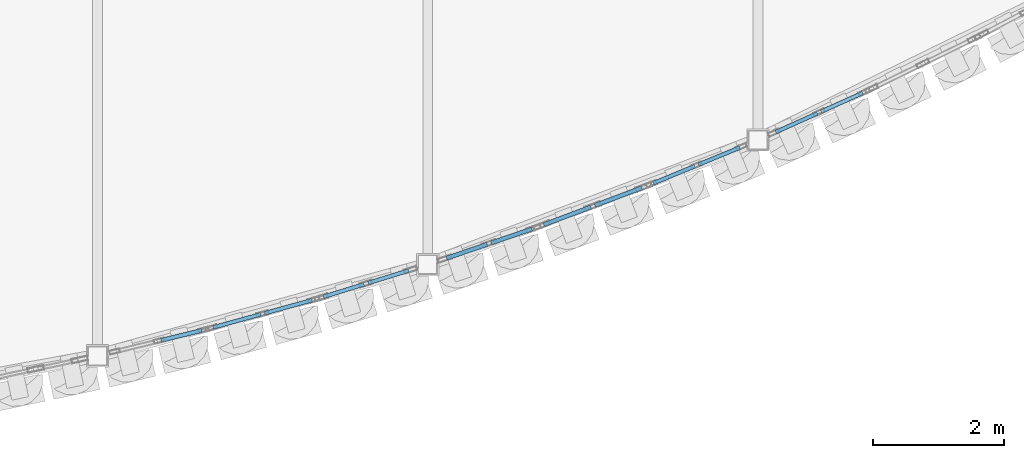
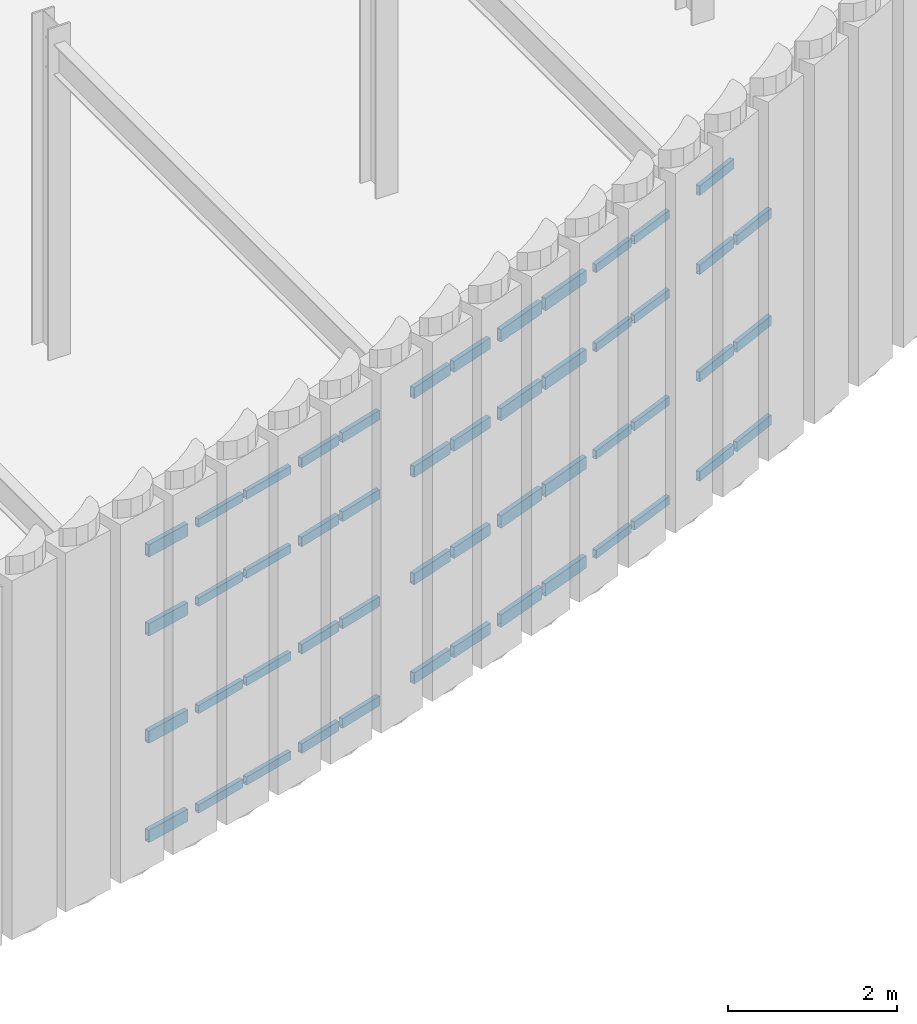
# One storey, part 77 of 126: 51 members, 7 elements without a shape of their own.
"""IFC4 building model written with IfcOpenShell, lengths in metres."""

from ifc_helpers import new_model, si_unit, direction, frame, origin, origin_2d, place, context, subcontext, project, spatial, hollow_rectangle, extrude, material, layer, layer_set, material_profile, profile_set, type_object, element, aggregate, save


model = new_model("IFC4")

# Units and contexts
model_context = context("Model", 3, precision=1e-05, world=origin(), true_north=direction((0.0, 1.0)))
body_context = subcontext(model_context, "Body", "Model", "MODEL_VIEW")
ifc_project = project(units=[si_unit("LENGTHUNIT", "METRE"), si_unit("AREAUNIT", "SQUARE_METRE"), si_unit("VOLUMEUNIT", "CUBIC_METRE"), si_unit("PLANEANGLEUNIT", "RADIAN"), si_unit("MASSUNIT", "GRAM", prefix="KILO")], contexts=[model_context])

# Site, building, storey
site_placement = place(None, origin())
site = spatial("IfcSite", under=ifc_project, at=site_placement, CompositionType="ELEMENT")
building_placement = place(site_placement, origin())
building = spatial("IfcBuilding", under=site, at=building_placement, Name="Solvadek Multi-Sports Hall", CompositionType="ELEMENT")
storey_placement = place(building_placement, frame((0.0, 0.0, 9.60009765625)))
storey = spatial("IfcBuildingStorey", under=building, at=storey_placement, Name="L02", CompositionType="ELEMENT", Elevation=9.60009765625)

# Curtain wall, members
ifc_material = material(Name="Anodised aluminium", Category="aluminium")
ifc_layer_1 = layer(ifc_material, 0.159912109375, Name="Anodised aluminium")
ifc_layer_set_1 = layer_set([ifc_layer_1], Name="Anodised aluminium")
curtain_wall_type_1 = type_object("IfcCurtainWallType", Name="ENV-CW-168X420", PredefinedType="USERDEFINED", material=ifc_layer_set_1)
curtain_wall_1_placement = place(storey_placement, origin())
curtain_wall_1 = element("IfcCurtainWall", 1, at=curtain_wall_1_placement, inside=storey, type_object=curtain_wall_type_1, Name="L02 Crescent Curved Curtain Wall #82", ObjectType="CURTAIN WALL", PredefinedType="USERDEFINED")
ifc_material_profile_1 = material_profile(ifc_material, hollow_rectangle(XDim=0.06005859375, YDim=0.1201171875, WallThickness=0.00390625, at=origin_2d()), Name="ALU-T 120x60x4")
ifc_profile_set_1 = profile_set([ifc_material_profile_1], Name="Anodised aluminium")
member_type_1 = type_object("IfcMemberType", Name="ENV-CWT-01", PredefinedType="USERDEFINED", material=ifc_profile_set_1)
member_1_placement = place(storey_placement, frame((108.32666015625, -11.3046875, 0.02978515625), z_axis=(0.96394952618, 0.266085157378, 0.0), x_axis=(-0.266085157378, 0.96394952618, 0.0)))
member_1 = element("IfcMember", 2, at=member_1_placement, type_object=member_type_1, Name="CW-22 transom 1.1", ObjectType="TRANSOM", PredefinedType="USERDEFINED", context=body_context, shape_type="SweptSolid", body=[
    extrude(hollow_rectangle(XDim=0.06005859375, YDim=0.1201171875, WallThickness=0.00390625, at=origin_2d()), origin(), (0.0, 0.0, 1.0), 0.75146484375),
])
member_2_placement = place(storey_placement, frame((108.32666015625, -11.3046875, 1.469970703125), z_axis=(0.96394952618, 0.266085157378, 0.0), x_axis=(-0.266085157378, 0.96394952618, 0.0)))
member_2 = element("IfcMember", 3, at=member_2_placement, type_object=member_type_1, Name="CW-22 transom 1.2", ObjectType="TRANSOM", PredefinedType="USERDEFINED", context=body_context, shape_type="SweptSolid", body=[
    extrude(hollow_rectangle(XDim=0.06005859375, YDim=0.1201171875, WallThickness=0.00390625, at=origin_2d()), origin(), (0.0, 0.0, 1.0), 0.75146484375),
])
member_3_placement = place(storey_placement, frame((108.32666015625, -11.3046875, 3.02392578125), z_axis=(0.96394952618, 0.266085157378, 0.0), x_axis=(-0.266085157378, 0.96394952618, 0.0)))
member_3 = element("IfcMember", 4, at=member_3_placement, type_object=member_type_1, Name="CW-22 transom 1.3", ObjectType="TRANSOM", PredefinedType="USERDEFINED", context=body_context, shape_type="SweptSolid", body=[
    extrude(hollow_rectangle(XDim=0.06005859375, YDim=0.1201171875, WallThickness=0.00390625, at=origin_2d()), origin(), (0.0, 0.0, 1.0), 0.75146484375),
])
member_4_placement = place(storey_placement, frame((108.32666015625, -11.3046875, 4.169921875), z_axis=(0.96394952618, 0.266085157378, 0.0), x_axis=(-0.266085157378, 0.96394952618, 0.0)))
member_4 = element("IfcMember", 5, at=member_4_placement, type_object=member_type_1, Name="CW-22 transom 1.4", ObjectType="TRANSOM", PredefinedType="USERDEFINED", context=body_context, shape_type="SweptSolid", body=[
    extrude(hollow_rectangle(XDim=0.06005859375, YDim=0.1201171875, WallThickness=0.00390625, at=origin_2d()), origin(), (0.0, 0.0, 1.0), 0.75146484375),
])
member_5_placement = place(storey_placement, frame((109.10888671875, -11.0888671875, 0.02978515625), z_axis=(0.96394952618, 0.266085157378, 0.0), x_axis=(-0.266085157378, 0.96394952618, 0.0)))
member_5 = element("IfcMember", 6, at=member_5_placement, type_object=member_type_1, Name="CW-22 transom 2.1", ObjectType="TRANSOM", PredefinedType="USERDEFINED", context=body_context, shape_type="SweptSolid", body=[
    extrude(hollow_rectangle(XDim=0.06005859375, YDim=0.1201171875, WallThickness=0.00390625, at=origin_2d()), origin(), (0.0, 0.0, 1.0), 0.75146484375),
])
member_6_placement = place(storey_placement, frame((109.10888671875, -11.0888671875, 1.469970703125), z_axis=(0.96394952618, 0.266085157378, 0.0), x_axis=(-0.266085157378, 0.96394952618, 0.0)))
member_6 = element("IfcMember", 7, at=member_6_placement, type_object=member_type_1, Name="CW-22 transom 2.2", ObjectType="TRANSOM", PredefinedType="USERDEFINED", context=body_context, shape_type="SweptSolid", body=[
    extrude(hollow_rectangle(XDim=0.06005859375, YDim=0.1201171875, WallThickness=0.00390625, at=origin_2d()), origin(), (0.0, 0.0, 1.0), 0.75146484375),
])
member_7_placement = place(storey_placement, frame((109.10888671875, -11.0888671875, 3.02392578125), z_axis=(0.96394952618, 0.266085157378, 0.0), x_axis=(-0.266085157378, 0.96394952618, 0.0)))
member_7 = element("IfcMember", 8, at=member_7_placement, type_object=member_type_1, Name="CW-22 transom 2.3", ObjectType="TRANSOM", PredefinedType="USERDEFINED", context=body_context, shape_type="SweptSolid", body=[
    extrude(hollow_rectangle(XDim=0.06005859375, YDim=0.1201171875, WallThickness=0.00390625, at=origin_2d()), origin(), (0.0, 0.0, 1.0), 0.75146484375),
])
member_8_placement = place(storey_placement, frame((109.10888671875, -11.0888671875, 4.169921875), z_axis=(0.96394952618, 0.266085157378, 0.0), x_axis=(-0.266085157378, 0.96394952618, 0.0)))
member_8 = element("IfcMember", 9, at=member_8_placement, type_object=member_type_1, Name="CW-22 transom 2.4", ObjectType="TRANSOM", PredefinedType="USERDEFINED", context=body_context, shape_type="SweptSolid", body=[
    extrude(hollow_rectangle(XDim=0.06005859375, YDim=0.1201171875, WallThickness=0.00390625, at=origin_2d()), origin(), (0.0, 0.0, 1.0), 0.75146484375),
])
aggregate(curtain_wall_1, [member_1, member_2, member_3, member_4, member_5, member_6, member_7, member_8])

ifc_layer_2 = layer(ifc_material, 0.159912109375, Name="Anodised aluminium")
ifc_layer_set_2 = layer_set([ifc_layer_2], Name="Anodised aluminium")
curtain_wall_type_2 = type_object("IfcCurtainWallType", Name="ENV-CW-155X420", PredefinedType="USERDEFINED", material=ifc_layer_set_2)
curtain_wall_2_placement = place(storey_placement, origin())
curtain_wall_2 = element("IfcCurtainWall", 10, at=curtain_wall_2_placement, inside=storey, type_object=curtain_wall_type_2, Name="L02 Crescent Curved Curtain Wall #90", ObjectType="CURTAIN WALL", PredefinedType="USERDEFINED")
member_9_placement = place(storey_placement, frame((115.043212890625, -9.104248046875, 0.02978515625), z_axis=(0.924381930474, 0.381468277336, 0.0), x_axis=(-0.381468277336, 0.924381930474, 0.0)))
member_9 = element("IfcMember", 11, at=member_9_placement, type_object=member_type_1, Name="CW-18 transom 1.1", ObjectType="TRANSOM", PredefinedType="USERDEFINED", context=body_context, shape_type="SweptSolid", body=[
    extrude(hollow_rectangle(XDim=0.06005859375, YDim=0.1201171875, WallThickness=0.00390625, at=origin_2d()), origin(), (0.0, 0.0, 1.0), 0.68359375),
])
member_10_placement = place(storey_placement, frame((115.043212890625, -9.104248046875, 1.469970703125), z_axis=(0.924381930474, 0.381468277336, 0.0), x_axis=(-0.381468277336, 0.924381930474, 0.0)))
member_10 = element("IfcMember", 12, at=member_10_placement, type_object=member_type_1, Name="CW-18 transom 1.2", ObjectType="TRANSOM", PredefinedType="USERDEFINED", context=body_context, shape_type="SweptSolid", body=[
    extrude(hollow_rectangle(XDim=0.06005859375, YDim=0.1201171875, WallThickness=0.00390625, at=origin_2d()), origin(), (0.0, 0.0, 1.0), 0.68359375),
])
member_11_placement = place(storey_placement, frame((115.043212890625, -9.104248046875, 3.02392578125), z_axis=(0.924381930474, 0.381468277336, 0.0), x_axis=(-0.381468277336, 0.924381930474, 0.0)))
member_11 = element("IfcMember", 13, at=member_11_placement, type_object=member_type_1, Name="CW-18 transom 1.3", ObjectType="TRANSOM", PredefinedType="USERDEFINED", context=body_context, shape_type="SweptSolid", body=[
    extrude(hollow_rectangle(XDim=0.06005859375, YDim=0.1201171875, WallThickness=0.00390625, at=origin_2d()), origin(), (0.0, 0.0, 1.0), 0.68359375),
])
member_12_placement = place(storey_placement, frame((115.043212890625, -9.104248046875, 4.169921875), z_axis=(0.924381930474, 0.381468277336, 0.0), x_axis=(-0.381468277336, 0.924381930474, 0.0)))
member_12 = element("IfcMember", 14, at=member_12_placement, type_object=member_type_1, Name="CW-18 transom 1.4", ObjectType="TRANSOM", PredefinedType="USERDEFINED", context=body_context, shape_type="SweptSolid", body=[
    extrude(hollow_rectangle(XDim=0.06005859375, YDim=0.1201171875, WallThickness=0.00390625, at=origin_2d()), origin(), (0.0, 0.0, 1.0), 0.68359375),
])
member_13_placement = place(storey_placement, frame((115.730712890625, -8.820556640625, 0.02978515625), z_axis=(0.924381930474, 0.381468277336, 0.0), x_axis=(-0.381468277336, 0.924381930474, 0.0)))
member_13 = element("IfcMember", 15, at=member_13_placement, type_object=member_type_1, Name="CW-18 transom 2.1", ObjectType="TRANSOM", PredefinedType="USERDEFINED", context=body_context, shape_type="SweptSolid", body=[
    extrude(hollow_rectangle(XDim=0.06005859375, YDim=0.1201171875, WallThickness=0.00390625, at=origin_2d()), origin(), (0.0, 0.0, 1.0), 0.68359375),
])
member_14_placement = place(storey_placement, frame((115.730712890625, -8.820556640625, 1.469970703125), z_axis=(0.924381930474, 0.381468277336, 0.0), x_axis=(-0.381468277336, 0.924381930474, 0.0)))
member_14 = element("IfcMember", 16, at=member_14_placement, type_object=member_type_1, Name="CW-18 transom 2.2", ObjectType="TRANSOM", PredefinedType="USERDEFINED", context=body_context, shape_type="SweptSolid", body=[
    extrude(hollow_rectangle(XDim=0.06005859375, YDim=0.1201171875, WallThickness=0.00390625, at=origin_2d()), origin(), (0.0, 0.0, 1.0), 0.68359375),
])
member_15_placement = place(storey_placement, frame((115.730712890625, -8.820556640625, 3.02392578125), z_axis=(0.924381930474, 0.381468277336, 0.0), x_axis=(-0.381468277336, 0.924381930474, 0.0)))
member_15 = element("IfcMember", 17, at=member_15_placement, type_object=member_type_1, Name="CW-18 transom 2.3", ObjectType="TRANSOM", PredefinedType="USERDEFINED", context=body_context, shape_type="SweptSolid", body=[
    extrude(hollow_rectangle(XDim=0.06005859375, YDim=0.1201171875, WallThickness=0.00390625, at=origin_2d()), origin(), (0.0, 0.0, 1.0), 0.68359375),
])
member_16_placement = place(storey_placement, frame((115.730712890625, -8.820556640625, 4.169921875), z_axis=(0.924381930474, 0.381468277336, 0.0), x_axis=(-0.381468277336, 0.924381930474, 0.0)))
member_16 = element("IfcMember", 18, at=member_16_placement, type_object=member_type_1, Name="CW-18 transom 2.4", ObjectType="TRANSOM", PredefinedType="USERDEFINED", context=body_context, shape_type="SweptSolid", body=[
    extrude(hollow_rectangle(XDim=0.06005859375, YDim=0.1201171875, WallThickness=0.00390625, at=origin_2d()), origin(), (0.0, 0.0, 1.0), 0.68359375),
])
aggregate(curtain_wall_2, [member_9, member_10, member_11, member_12, member_13, member_14, member_15, member_16])

ifc_layer_3 = layer(ifc_material, 0.159912109375, Name="Anodised aluminium")
ifc_layer_set_3 = layer_set([ifc_layer_3], Name="Anodised aluminium")
curtain_wall_type_3 = type_object("IfcCurtainWallType", Name="ENV-CW-149X420", PredefinedType="USERDEFINED", material=ifc_layer_set_3)
curtain_wall_3_placement = place(storey_placement, origin())
curtain_wall_3 = element("IfcCurtainWall", 19, at=curtain_wall_3_placement, inside=storey, type_object=curtain_wall_type_3, Name="L02 Crescent Curved Curtain Wall #84", ObjectType="CURTAIN WALL", PredefinedType="USERDEFINED")
ifc_material_profile_2 = material_profile(ifc_material, hollow_rectangle(XDim=0.06005859375, YDim=0.139892578125, WallThickness=0.00390625, at=origin_2d()), Name="ALU-T 140x60x4")
ifc_profile_set_2 = profile_set([ifc_material_profile_2], Name="Anodised aluminium")
member_type_2 = type_object("IfcMemberType", Name="ENV-CWT-02", PredefinedType="USERDEFINED", material=ifc_profile_set_2)
member_17_placement = place(storey_placement, frame((110.0107421875, -10.8369140625, 0.02978515625), z_axis=(0.955541974206, 0.294855109386, 0.0), x_axis=(-0.294855109386, 0.955541974206, 0.0)))
member_17 = element("IfcMember", 20, at=member_17_placement, type_object=member_type_2, Name="CW-21 transom 1.1", ObjectType="TRANSOM", PredefinedType="USERDEFINED", context=body_context, shape_type="SweptSolid", body=[
    extrude(hollow_rectangle(XDim=0.06005859375, YDim=0.139892578125, WallThickness=0.00390625, at=origin_2d()), origin(), (0.0, 0.0, 1.0), 0.646728515625),
])
member_18_placement = place(storey_placement, frame((110.0107421875, -10.8369140625, 1.469970703125), z_axis=(0.955541974206, 0.294855109386, 0.0), x_axis=(-0.294855109386, 0.955541974206, 0.0)))
member_18 = element("IfcMember", 21, at=member_18_placement, type_object=member_type_2, Name="CW-21 transom 1.2", ObjectType="TRANSOM", PredefinedType="USERDEFINED", context=body_context, shape_type="SweptSolid", body=[
    extrude(hollow_rectangle(XDim=0.06005859375, YDim=0.139892578125, WallThickness=0.00390625, at=origin_2d()), origin(), (0.0, 0.0, 1.0), 0.646728515625),
])
member_19_placement = place(storey_placement, frame((110.0107421875, -10.8369140625, 3.02392578125), z_axis=(0.955541974206, 0.294855109386, 0.0), x_axis=(-0.294855109386, 0.955541974206, 0.0)))
member_19 = element("IfcMember", 22, at=member_19_placement, type_object=member_type_2, Name="CW-21 transom 1.3", ObjectType="TRANSOM", PredefinedType="USERDEFINED", context=body_context, shape_type="SweptSolid", body=[
    extrude(hollow_rectangle(XDim=0.06005859375, YDim=0.139892578125, WallThickness=0.00390625, at=origin_2d()), origin(), (0.0, 0.0, 1.0), 0.646728515625),
])
member_20_placement = place(storey_placement, frame((110.0107421875, -10.8369140625, 4.169921875), z_axis=(0.955541974206, 0.294855109386, 0.0), x_axis=(-0.294855109386, 0.955541974206, 0.0)))
member_20 = element("IfcMember", 23, at=member_20_placement, type_object=member_type_2, Name="CW-21 transom 1.4", ObjectType="TRANSOM", PredefinedType="USERDEFINED", context=body_context, shape_type="SweptSolid", body=[
    extrude(hollow_rectangle(XDim=0.06005859375, YDim=0.139892578125, WallThickness=0.00390625, at=origin_2d()), origin(), (0.0, 0.0, 1.0), 0.646728515625),
])
member_21_placement = place(storey_placement, frame((110.690673828125, -10.627197265625, 0.02978515625), z_axis=(0.955541974206, 0.294855109386, 0.0), x_axis=(-0.294855109386, 0.955541974206, 0.0)))
member_21 = element("IfcMember", 24, at=member_21_placement, type_object=member_type_2, Name="CW-21 transom 2.1", ObjectType="TRANSOM", PredefinedType="USERDEFINED", context=body_context, shape_type="SweptSolid", body=[
    extrude(hollow_rectangle(XDim=0.06005859375, YDim=0.139892578125, WallThickness=0.00390625, at=origin_2d()), origin(), (0.0, 0.0, 1.0), 0.646728515625),
])
member_22_placement = place(storey_placement, frame((110.690673828125, -10.627197265625, 1.469970703125), z_axis=(0.955541974206, 0.294855109386, 0.0), x_axis=(-0.294855109386, 0.955541974206, 0.0)))
member_22 = element("IfcMember", 25, at=member_22_placement, type_object=member_type_2, Name="CW-21 transom 2.2", ObjectType="TRANSOM", PredefinedType="USERDEFINED", context=body_context, shape_type="SweptSolid", body=[
    extrude(hollow_rectangle(XDim=0.06005859375, YDim=0.139892578125, WallThickness=0.00390625, at=origin_2d()), origin(), (0.0, 0.0, 1.0), 0.646728515625),
])
member_23_placement = place(storey_placement, frame((110.690673828125, -10.627197265625, 3.02392578125), z_axis=(0.955541974206, 0.294855109386, 0.0), x_axis=(-0.294855109386, 0.955541974206, 0.0)))
member_23 = element("IfcMember", 26, at=member_23_placement, type_object=member_type_2, Name="CW-21 transom 2.3", ObjectType="TRANSOM", PredefinedType="USERDEFINED", context=body_context, shape_type="SweptSolid", body=[
    extrude(hollow_rectangle(XDim=0.06005859375, YDim=0.139892578125, WallThickness=0.00390625, at=origin_2d()), origin(), (0.0, 0.0, 1.0), 0.646728515625),
])
member_24_placement = place(storey_placement, frame((110.690673828125, -10.627197265625, 4.169921875), z_axis=(0.955541974206, 0.294855109386, 0.0), x_axis=(-0.294855109386, 0.955541974206, 0.0)))
member_24 = element("IfcMember", 27, at=member_24_placement, type_object=member_type_2, Name="CW-21 transom 2.4", ObjectType="TRANSOM", PredefinedType="USERDEFINED", context=body_context, shape_type="SweptSolid", body=[
    extrude(hollow_rectangle(XDim=0.06005859375, YDim=0.139892578125, WallThickness=0.00390625, at=origin_2d()), origin(), (0.0, 0.0, 1.0), 0.646728515625),
])
aggregate(curtain_wall_3, [member_17, member_18, member_19, member_20, member_21, member_22, member_23, member_24])

ifc_layer_4 = layer(ifc_material, 0.159912109375, Name="Anodised aluminium")
ifc_layer_set_4 = layer_set([ifc_layer_4], Name="Anodised aluminium")
curtain_wall_type_4 = type_object("IfcCurtainWallType", Name="ENV-CW-157X420", PredefinedType="USERDEFINED", material=ifc_layer_set_4)
curtain_wall_4_placement = place(storey_placement, origin())
curtain_wall_4 = element("IfcCurtainWall", 28, at=curtain_wall_4_placement, inside=storey, type_object=curtain_wall_type_4, Name="L02 Crescent Curved Curtain Wall #92", ObjectType="CURTAIN WALL", PredefinedType="USERDEFINED")
member_25_placement = place(storey_placement, frame((116.91357421875, -8.322265625, 0.02978515625), z_axis=(0.911921505175, 0.410364677329, 0.0), x_axis=(-0.410364677329, 0.911921505175, 0.0)))
member_25 = element("IfcMember", 29, at=member_25_placement, type_object=member_type_2, Name="CW-17 transom 1.1", ObjectType="TRANSOM", PredefinedType="USERDEFINED", context=body_context, shape_type="SweptSolid", body=[
    extrude(hollow_rectangle(XDim=0.06005859375, YDim=0.139892578125, WallThickness=0.00390625, at=origin_2d()), origin(), (0.0, 0.0, 1.0), 0.696044921875),
])
member_26_placement = place(storey_placement, frame((116.91357421875, -8.322265625, 1.469970703125), z_axis=(0.911921505175, 0.410364677329, 0.0), x_axis=(-0.410364677329, 0.911921505175, 0.0)))
member_26 = element("IfcMember", 30, at=member_26_placement, type_object=member_type_2, Name="CW-17 transom 1.2", ObjectType="TRANSOM", PredefinedType="USERDEFINED", context=body_context, shape_type="SweptSolid", body=[
    extrude(hollow_rectangle(XDim=0.06005859375, YDim=0.139892578125, WallThickness=0.00390625, at=origin_2d()), origin(), (0.0, 0.0, 1.0), 0.696044921875),
])
member_27_placement = place(storey_placement, frame((116.91357421875, -8.322265625, 3.02392578125), z_axis=(0.911921505175, 0.410364677329, 0.0), x_axis=(-0.410364677329, 0.911921505175, 0.0)))
member_27 = element("IfcMember", 31, at=member_27_placement, type_object=member_type_2, Name="CW-17 transom 1.3", ObjectType="TRANSOM", PredefinedType="USERDEFINED", context=body_context, shape_type="SweptSolid", body=[
    extrude(hollow_rectangle(XDim=0.06005859375, YDim=0.139892578125, WallThickness=0.00390625, at=origin_2d()), origin(), (0.0, 0.0, 1.0), 0.696044921875),
])
member_28_placement = place(storey_placement, frame((116.91357421875, -8.322265625, 4.169921875), z_axis=(0.911921505175, 0.410364677329, 0.0), x_axis=(-0.410364677329, 0.911921505175, 0.0)))
member_28 = element("IfcMember", 32, at=member_28_placement, type_object=member_type_2, Name="CW-17 transom 1.4", ObjectType="TRANSOM", PredefinedType="USERDEFINED", context=body_context, shape_type="SweptSolid", body=[
    extrude(hollow_rectangle(XDim=0.06005859375, YDim=0.139892578125, WallThickness=0.00390625, at=origin_2d()), origin(), (0.0, 0.0, 1.0), 0.696044921875),
])
member_29_placement = place(storey_placement, frame((117.60302734375, -8.011962890625, 0.02978515625), z_axis=(0.911921505175, 0.410364677329, 0.0), x_axis=(-0.410364677329, 0.911921505175, 0.0)))
member_29 = element("IfcMember", 33, at=member_29_placement, type_object=member_type_2, Name="CW-17 transom 2.1", ObjectType="TRANSOM", PredefinedType="USERDEFINED", context=body_context, shape_type="SweptSolid", body=[
    extrude(hollow_rectangle(XDim=0.06005859375, YDim=0.139892578125, WallThickness=0.00390625, at=origin_2d()), origin(), (0.0, 0.0, 1.0), 0.696044921875),
])
member_30_placement = place(storey_placement, frame((117.60302734375, -8.011962890625, 1.469970703125), z_axis=(0.911921505175, 0.410364677329, 0.0), x_axis=(-0.410364677329, 0.911921505175, 0.0)))
member_30 = element("IfcMember", 34, at=member_30_placement, type_object=member_type_2, Name="CW-17 transom 2.2", ObjectType="TRANSOM", PredefinedType="USERDEFINED", context=body_context, shape_type="SweptSolid", body=[
    extrude(hollow_rectangle(XDim=0.06005859375, YDim=0.139892578125, WallThickness=0.00390625, at=origin_2d()), origin(), (0.0, 0.0, 1.0), 0.696044921875),
])
member_31_placement = place(storey_placement, frame((117.60302734375, -8.011962890625, 3.02392578125), z_axis=(0.911921505175, 0.410364677329, 0.0), x_axis=(-0.410364677329, 0.911921505175, 0.0)))
member_31 = element("IfcMember", 35, at=member_31_placement, type_object=member_type_2, Name="CW-17 transom 2.3", ObjectType="TRANSOM", PredefinedType="USERDEFINED", context=body_context, shape_type="SweptSolid", body=[
    extrude(hollow_rectangle(XDim=0.06005859375, YDim=0.139892578125, WallThickness=0.00390625, at=origin_2d()), origin(), (0.0, 0.0, 1.0), 0.696044921875),
])
aggregate(curtain_wall_4, [member_25, member_26, member_27, member_28, member_29, member_30, member_31])

ifc_layer_5 = layer(ifc_material, 0.159912109375, Name="Anodised aluminium")
ifc_layer_set_5 = layer_set([ifc_layer_5], Name="Anodised aluminium")
curtain_wall_type_5 = type_object("IfcCurtainWallType", Name="ENV-CW-151X420", PredefinedType="USERDEFINED", material=ifc_layer_set_5)
curtain_wall_5_placement = place(storey_placement, origin())
curtain_wall_5 = element("IfcCurtainWall", 36, at=curtain_wall_5_placement, inside=storey, type_object=curtain_wall_type_5, Name="L02 Crescent Curved Curtain Wall #86", ObjectType="CURTAIN WALL", PredefinedType="USERDEFINED")
ifc_material_profile_3 = material_profile(ifc_material, hollow_rectangle(XDim=0.06494140625, YDim=0.159912109375, WallThickness=0.00390625, at=origin_2d()), Name="ALU-T 160x65x4")
ifc_profile_set_3 = profile_set([ifc_material_profile_3], Name="Anodised aluminium")
member_type_3 = type_object("IfcMemberType", Name="ENV-CWT-03", PredefinedType="USERDEFINED", material=ifc_profile_set_3)
member_32_placement = place(storey_placement, frame((111.888671875, -10.247802734375, 0.032470703125), z_axis=(0.946118926985, 0.32381935705, 0.0), x_axis=(-0.32381935705, 0.946118926985, 0.0)))
member_32 = element("IfcMember", 37, at=member_32_placement, type_object=member_type_3, Name="CW-20 transom 1.1", ObjectType="TRANSOM", PredefinedType="USERDEFINED", context=body_context, shape_type="SweptSolid", body=[
    extrude(hollow_rectangle(XDim=0.06494140625, YDim=0.159912109375, WallThickness=0.00390625, at=origin_2d()), origin(), (0.0, 0.0, 1.0), 0.6552734375),
])
member_33_placement = place(storey_placement, frame((111.888671875, -10.247802734375, 1.469970703125), z_axis=(0.946118926985, 0.32381935705, 0.0), x_axis=(-0.32381935705, 0.946118926985, 0.0)))
member_33 = element("IfcMember", 38, at=member_33_placement, type_object=member_type_3, Name="CW-20 transom 1.2", ObjectType="TRANSOM", PredefinedType="USERDEFINED", context=body_context, shape_type="SweptSolid", body=[
    extrude(hollow_rectangle(XDim=0.06494140625, YDim=0.159912109375, WallThickness=0.00390625, at=origin_2d()), origin(), (0.0, 0.0, 1.0), 0.6552734375),
])
member_34_placement = place(storey_placement, frame((111.888671875, -10.247802734375, 3.02392578125), z_axis=(0.946118926985, 0.32381935705, 0.0), x_axis=(-0.32381935705, 0.946118926985, 0.0)))
member_34 = element("IfcMember", 39, at=member_34_placement, type_object=member_type_3, Name="CW-20 transom 1.3", ObjectType="TRANSOM", PredefinedType="USERDEFINED", context=body_context, shape_type="SweptSolid", body=[
    extrude(hollow_rectangle(XDim=0.06494140625, YDim=0.159912109375, WallThickness=0.00390625, at=origin_2d()), origin(), (0.0, 0.0, 1.0), 0.6552734375),
])
member_35_placement = place(storey_placement, frame((111.888671875, -10.247802734375, 4.16748046875), z_axis=(0.946118926985, 0.32381935705, 0.0), x_axis=(-0.32381935705, 0.946118926985, 0.0)))
member_35 = element("IfcMember", 40, at=member_35_placement, type_object=member_type_3, Name="CW-20 transom 1.4", ObjectType="TRANSOM", PredefinedType="USERDEFINED", context=body_context, shape_type="SweptSolid", body=[
    extrude(hollow_rectangle(XDim=0.06494140625, YDim=0.159912109375, WallThickness=0.00390625, at=origin_2d()), origin(), (0.0, 0.0, 1.0), 0.6552734375),
])
member_36_placement = place(storey_placement, frame((112.570068359375, -10.0146484375, 0.032470703125), z_axis=(0.9461579804, 0.323705230302, 0.0), x_axis=(-0.323705230302, 0.9461579804, 0.0)))
member_36 = element("IfcMember", 41, at=member_36_placement, type_object=member_type_3, Name="CW-20 transom 2.1", ObjectType="TRANSOM", PredefinedType="USERDEFINED", context=body_context, shape_type="SweptSolid", body=[
    extrude(hollow_rectangle(XDim=0.06494140625, YDim=0.159912109375, WallThickness=0.00390625, at=origin_2d()), origin(), (0.0, 0.0, 1.0), 0.655517578125),
])
member_37_placement = place(storey_placement, frame((112.570068359375, -10.0146484375, 1.469970703125), z_axis=(0.9461579804, 0.323705230302, 0.0), x_axis=(-0.323705230302, 0.9461579804, 0.0)))
member_37 = element("IfcMember", 42, at=member_37_placement, type_object=member_type_3, Name="CW-20 transom 2.2", ObjectType="TRANSOM", PredefinedType="USERDEFINED", context=body_context, shape_type="SweptSolid", body=[
    extrude(hollow_rectangle(XDim=0.06494140625, YDim=0.159912109375, WallThickness=0.00390625, at=origin_2d()), origin(), (0.0, 0.0, 1.0), 0.655517578125),
])
member_38_placement = place(storey_placement, frame((112.570068359375, -10.0146484375, 3.02392578125), z_axis=(0.9461579804, 0.323705230302, 0.0), x_axis=(-0.323705230302, 0.9461579804, 0.0)))
member_38 = element("IfcMember", 43, at=member_38_placement, type_object=member_type_3, Name="CW-20 transom 2.3", ObjectType="TRANSOM", PredefinedType="USERDEFINED", context=body_context, shape_type="SweptSolid", body=[
    extrude(hollow_rectangle(XDim=0.06494140625, YDim=0.159912109375, WallThickness=0.00390625, at=origin_2d()), origin(), (0.0, 0.0, 1.0), 0.655517578125),
])
member_39_placement = place(storey_placement, frame((112.570068359375, -10.0146484375, 4.16748046875), z_axis=(0.9461579804, 0.323705230302, 0.0), x_axis=(-0.323705230302, 0.9461579804, 0.0)))
member_39 = element("IfcMember", 44, at=member_39_placement, type_object=member_type_3, Name="CW-20 transom 2.4", ObjectType="TRANSOM", PredefinedType="USERDEFINED", context=body_context, shape_type="SweptSolid", body=[
    extrude(hollow_rectangle(XDim=0.06494140625, YDim=0.159912109375, WallThickness=0.00390625, at=origin_2d()), origin(), (0.0, 0.0, 1.0), 0.655517578125),
])
aggregate(curtain_wall_5, [member_32, member_33, member_34, member_35, member_36, member_37, member_38, member_39])

ifc_layer_6 = layer(ifc_material, 0.159912109375, Name="Anodised aluminium")
ifc_layer_set_6 = layer_set([ifc_layer_6], Name="Anodised aluminium")
curtain_wall_type_6 = type_object("IfcCurtainWallType", Name="ENV-CW-146X420", PredefinedType="USERDEFINED", material=ifc_layer_set_6)
curtain_wall_6_placement = place(storey_placement, origin())
curtain_wall_6 = element("IfcCurtainWall", 45, at=curtain_wall_6_placement, inside=storey, type_object=curtain_wall_type_6, Name="L02 Crescent Curved Curtain Wall #80", ObjectType="CURTAIN WALL", PredefinedType="USERDEFINED")
ifc_material_profile_4 = material_profile(ifc_material, hollow_rectangle(XDim=0.06494140625, YDim=0.179931640625, WallThickness=0.0048828125, at=origin_2d()), Name="ALU-T 180x65x5")
ifc_profile_set_4 = profile_set([ifc_material_profile_4], Name="Anodised aluminium")
member_type_4 = type_object("IfcMemberType", Name="ENV-CWT-04", PredefinedType="USERDEFINED", material=ifc_profile_set_4)
member_40_placement = place(storey_placement, frame((107.53125, -11.501708984375, 0.032470703125), z_axis=(0.971408788113, 0.237413071201, 0.0), x_axis=(-0.237413071201, 0.971408788113, 0.0)))
member_40 = element("IfcMember", 46, at=member_40_placement, type_object=member_type_4, Name="CW-23 transom 2.1", ObjectType="TRANSOM", PredefinedType="USERDEFINED", context=body_context, shape_type="SweptSolid", body=[
    extrude(hollow_rectangle(XDim=0.06494140625, YDim=0.179931640625, WallThickness=0.0048828125, at=origin_2d()), origin(), (0.0, 0.0, 1.0), 0.6396484375),
])
member_41_placement = place(storey_placement, frame((107.53125, -11.501708984375, 1.469970703125), z_axis=(0.971408788113, 0.237413071201, 0.0), x_axis=(-0.237413071201, 0.971408788113, 0.0)))
member_41 = element("IfcMember", 47, at=member_41_placement, type_object=member_type_4, Name="CW-23 transom 2.2", ObjectType="TRANSOM", PredefinedType="USERDEFINED", context=body_context, shape_type="SweptSolid", body=[
    extrude(hollow_rectangle(XDim=0.06494140625, YDim=0.179931640625, WallThickness=0.0048828125, at=origin_2d()), origin(), (0.0, 0.0, 1.0), 0.6396484375),
])
member_42_placement = place(storey_placement, frame((107.53125, -11.501708984375, 3.02392578125), z_axis=(0.971408788113, 0.237413071201, 0.0), x_axis=(-0.237413071201, 0.971408788113, 0.0)))
member_42 = element("IfcMember", 48, at=member_42_placement, type_object=member_type_4, Name="CW-23 transom 2.3", ObjectType="TRANSOM", PredefinedType="USERDEFINED", context=body_context, shape_type="SweptSolid", body=[
    extrude(hollow_rectangle(XDim=0.06494140625, YDim=0.179931640625, WallThickness=0.0048828125, at=origin_2d()), origin(), (0.0, 0.0, 1.0), 0.6396484375),
])
member_43_placement = place(storey_placement, frame((107.53125, -11.501708984375, 4.16748046875), z_axis=(0.971408788113, 0.237413071201, 0.0), x_axis=(-0.237413071201, 0.971408788113, 0.0)))
member_43 = element("IfcMember", 49, at=member_43_placement, type_object=member_type_4, Name="CW-23 transom 2.4", ObjectType="TRANSOM", PredefinedType="USERDEFINED", context=body_context, shape_type="SweptSolid", body=[
    extrude(hollow_rectangle(XDim=0.06494140625, YDim=0.179931640625, WallThickness=0.0048828125, at=origin_2d()), origin(), (0.0, 0.0, 1.0), 0.6396484375),
])
aggregate(curtain_wall_6, [member_40, member_41, member_42, member_43])

ifc_layer_7 = layer(ifc_material, 0.159912109375, Name="Anodised aluminium")
ifc_layer_set_7 = layer_set([ifc_layer_7], Name="Anodised aluminium")
curtain_wall_type_7 = type_object("IfcCurtainWallType", Name="ENV-CW-174X420", PredefinedType="USERDEFINED", material=ifc_layer_set_7)
curtain_wall_7_placement = place(storey_placement, origin())
curtain_wall_7 = element("IfcCurtainWall", 50, at=curtain_wall_7_placement, inside=storey, type_object=curtain_wall_type_7, Name="L02 Crescent Curved Curtain Wall #88", ObjectType="CURTAIN WALL", PredefinedType="USERDEFINED")
member_44_placement = place(storey_placement, frame((113.37353515625, -9.736328125, 0.032470703125), z_axis=(0.93581505151, 0.352491403254, 0.0), x_axis=(-0.352491403254, 0.93581505151, 0.0)))
member_44 = element("IfcMember", 51, at=member_44_placement, type_object=member_type_4, Name="CW-12 transom 1.1", ObjectType="TRANSOM", PredefinedType="USERDEFINED", context=body_context, shape_type="SweptSolid", body=[
    extrude(hollow_rectangle(XDim=0.06494140625, YDim=0.179931640625, WallThickness=0.0048828125, at=origin_2d()), origin(), (0.0, 0.0, 1.0), 0.762451171875),
])
member_45_placement = place(storey_placement, frame((113.37353515625, -9.736328125, 1.469970703125), z_axis=(0.93581505151, 0.352491403254, 0.0), x_axis=(-0.352491403254, 0.93581505151, 0.0)))
member_45 = element("IfcMember", 52, at=member_45_placement, type_object=member_type_4, Name="CW-12 transom 1.2", ObjectType="TRANSOM", PredefinedType="USERDEFINED", context=body_context, shape_type="SweptSolid", body=[
    extrude(hollow_rectangle(XDim=0.06494140625, YDim=0.179931640625, WallThickness=0.0048828125, at=origin_2d()), origin(), (0.0, 0.0, 1.0), 0.762451171875),
])
member_46_placement = place(storey_placement, frame((113.37353515625, -9.736328125, 3.02392578125), z_axis=(0.93581505151, 0.352491403254, 0.0), x_axis=(-0.352491403254, 0.93581505151, 0.0)))
member_46 = element("IfcMember", 53, at=member_46_placement, type_object=member_type_4, Name="CW-12 transom 1.3", ObjectType="TRANSOM", PredefinedType="USERDEFINED", context=body_context, shape_type="SweptSolid", body=[
    extrude(hollow_rectangle(XDim=0.06494140625, YDim=0.179931640625, WallThickness=0.0048828125, at=origin_2d()), origin(), (0.0, 0.0, 1.0), 0.762451171875),
])
member_47_placement = place(storey_placement, frame((113.37353515625, -9.736328125, 4.16748046875), z_axis=(0.93581505151, 0.352491403254, 0.0), x_axis=(-0.352491403254, 0.93581505151, 0.0)))
member_47 = element("IfcMember", 54, at=member_47_placement, type_object=member_type_4, Name="CW-12 transom 1.4", ObjectType="TRANSOM", PredefinedType="USERDEFINED", context=body_context, shape_type="SweptSolid", body=[
    extrude(hollow_rectangle(XDim=0.06494140625, YDim=0.179931640625, WallThickness=0.0048828125, at=origin_2d()), origin(), (0.0, 0.0, 1.0), 0.762451171875),
])
member_48_placement = place(storey_placement, frame((114.15283203125, -9.44287109375, 0.032470703125), z_axis=(0.935709412722, 0.352771732063, 0.0), x_axis=(-0.352771732063, 0.935709412722, 0.0)))
member_48 = element("IfcMember", 55, at=member_48_placement, type_object=member_type_4, Name="CW-12 transom 2.1", ObjectType="TRANSOM", PredefinedType="USERDEFINED", context=body_context, shape_type="SweptSolid", body=[
    extrude(hollow_rectangle(XDim=0.06494140625, YDim=0.179931640625, WallThickness=0.0048828125, at=origin_2d()), origin(), (0.0, 0.0, 1.0), 0.7626953125),
])
member_49_placement = place(storey_placement, frame((114.15283203125, -9.44287109375, 1.469970703125), z_axis=(0.935709412722, 0.352771732063, 0.0), x_axis=(-0.352771732063, 0.935709412722, 0.0)))
member_49 = element("IfcMember", 56, at=member_49_placement, type_object=member_type_4, Name="CW-12 transom 2.2", ObjectType="TRANSOM", PredefinedType="USERDEFINED", context=body_context, shape_type="SweptSolid", body=[
    extrude(hollow_rectangle(XDim=0.06494140625, YDim=0.179931640625, WallThickness=0.0048828125, at=origin_2d()), origin(), (0.0, 0.0, 1.0), 0.7626953125),
])
member_50_placement = place(storey_placement, frame((114.15283203125, -9.44287109375, 3.02392578125), z_axis=(0.935709412722, 0.352771732063, 0.0), x_axis=(-0.352771732063, 0.935709412722, 0.0)))
member_50 = element("IfcMember", 57, at=member_50_placement, type_object=member_type_4, Name="CW-12 transom 2.3", ObjectType="TRANSOM", PredefinedType="USERDEFINED", context=body_context, shape_type="SweptSolid", body=[
    extrude(hollow_rectangle(XDim=0.06494140625, YDim=0.179931640625, WallThickness=0.0048828125, at=origin_2d()), origin(), (0.0, 0.0, 1.0), 0.7626953125),
])
member_51_placement = place(storey_placement, frame((114.15283203125, -9.44287109375, 4.16748046875), z_axis=(0.935709412722, 0.352771732063, 0.0), x_axis=(-0.352771732063, 0.935709412722, 0.0)))
member_51 = element("IfcMember", 58, at=member_51_placement, type_object=member_type_4, Name="CW-12 transom 2.4", ObjectType="TRANSOM", PredefinedType="USERDEFINED", context=body_context, shape_type="SweptSolid", body=[
    extrude(hollow_rectangle(XDim=0.06494140625, YDim=0.179931640625, WallThickness=0.0048828125, at=origin_2d()), origin(), (0.0, 0.0, 1.0), 0.7626953125),
])
aggregate(curtain_wall_7, [member_44, member_45, member_46, member_47, member_48, member_49, member_50, member_51])

save(model, "model.ifc")
